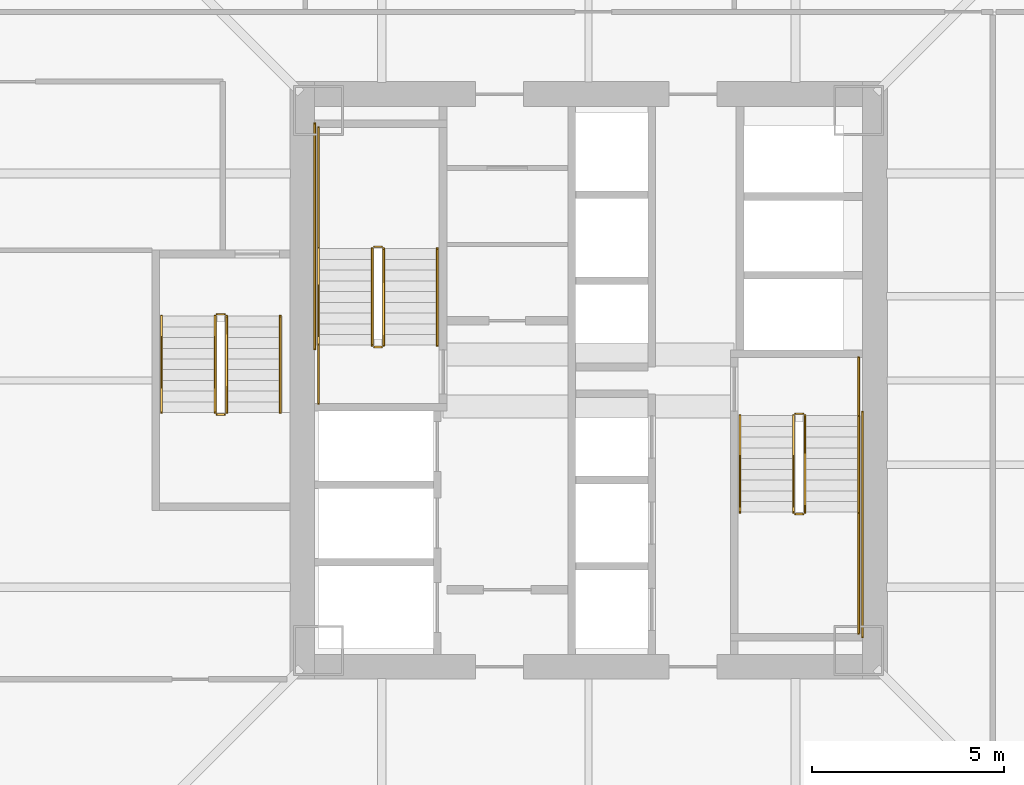
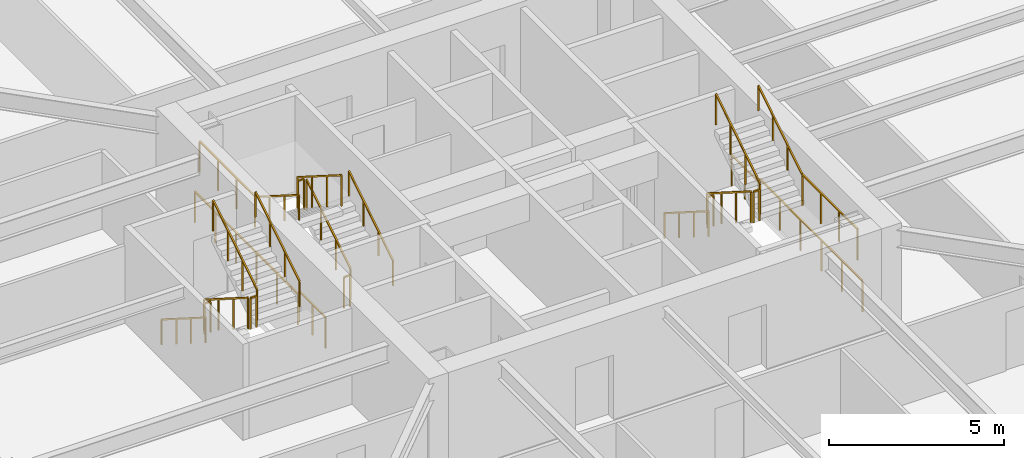
# One storey, part 39 of 44: 24 railings.
"""IFC4 building model written with IfcOpenShell, lengths in metres."""

from ifc_helpers import new_model, si_unit, direction, frame, origin, origin_2d, place, context, subcontext, project, spatial, rectangle, extrude, material, type_object, element, save


model = new_model("IFC4")

# Units and contexts
model_context = context("Model", 3, precision=1e-05, world=origin(), true_north=direction((0.0, 1.0)))
body_context = subcontext(model_context, "Body", "Model", "MODEL_VIEW")
ifc_project = project(units=[si_unit("LENGTHUNIT", "METRE"), si_unit("AREAUNIT", "SQUARE_METRE"), si_unit("VOLUMEUNIT", "CUBIC_METRE"), si_unit("PLANEANGLEUNIT", "RADIAN"), si_unit("MASSUNIT", "GRAM", prefix="KILO")], contexts=[model_context])

# Site, building, storey
site_placement = place(None, origin())
site = spatial("IfcSite", under=ifc_project, at=site_placement, CompositionType="ELEMENT")
building_placement = place(site_placement, origin())
building = spatial("IfcBuilding", under=site, at=building_placement, Name="Tashvorn Skyway Center", CompositionType="ELEMENT")
storey_placement = place(building_placement, frame((0.0, 0.0, 84.949951171875)))
storey = spatial("IfcBuildingStorey", under=building, at=storey_placement, Name="L22", CompositionType="ELEMENT", Elevation=84.949951171875)

# Railings
ifc_material_1 = material(Name="Brushed stainless steel 316", Category="steel")
railing_type_1 = type_object("IfcRailingType", Name="RAIL-HAND-920", PredefinedType="HANDRAIL", material=ifc_material_1)
railing_1_placement = place(storey_placement, frame((38.050048828125, 32.919921875, 0.177490234375)))
element("IfcRailing", 1, at=railing_1_placement, inside=storey, type_object=railing_type_1, Name="L22 ST-T1-1 stair handrail 1", PredefinedType="HANDRAIL", context=body_context, shape_type="SweptSolid", body=[
    extrude(rectangle(XDim=0.048095703125, YDim=0.048095703125, at=origin_2d()), frame((0.0, 0.0, 0.8759765625), z_axis=(0.0, 0.84456994832, 0.535445237532), x_axis=(-1.0, 0.0, 0.0)), (0.0, 0.0, 1.0), 2.98388671875),
    extrude(rectangle(XDim=0.0419921875, YDim=0.0419921875, at=origin_2d()), origin(), (0.0, 0.0, 1.0), 0.851806640625),
    extrude(rectangle(XDim=0.0419921875, YDim=0.0419921875, at=origin_2d()), frame((0.0, 0.840087890625, 0.532470703125)), (0.0, 0.0, 1.0), 0.851806640625),
    extrude(rectangle(XDim=0.0419921875, YDim=0.0419921875, at=origin_2d()), frame((0.0, 1.679931640625, 1.065185546875)), (0.0, 0.0, 1.0), 0.851806640625),
    extrude(rectangle(XDim=0.0419921875, YDim=0.0419921875, at=origin_2d()), frame((0.0, 2.52001953125, 1.59765625)), (0.0, 0.0, 1.0), 0.851806640625),
])
railing_2_placement = place(storey_placement, frame((34.949951171875, 35.43994140625, 1.95263671875)))
element("IfcRailing", 2, at=railing_2_placement, inside=storey, type_object=railing_type_1, Name="L22 ST-T1-1 stair handrail 2", PredefinedType="HANDRAIL", context=body_context, shape_type="SweptSolid", body=[
    extrude(rectangle(XDim=0.048095703125, YDim=0.048095703125, at=origin_2d()), frame((0.0, 0.0, 0.8759765625), z_axis=(0.0, -0.84460694969, 0.535386869969), x_axis=(1.0, 0.0, 0.0)), (0.0, 0.0, 1.0), 2.983642578125),
    extrude(rectangle(XDim=0.0419921875, YDim=0.0419921875, at=origin_2d()), origin(), (0.0, 0.0, 1.0), 0.851806640625),
    extrude(rectangle(XDim=0.0419921875, YDim=0.0419921875, at=origin_2d()), frame((0.0, -0.840087890625, 0.532470703125)), (0.0, 0.0, 1.0), 0.851806640625),
    extrude(rectangle(XDim=0.0419921875, YDim=0.0419921875, at=origin_2d()), frame((0.0, -1.679931640625, 1.06494140625)), (0.0, 0.0, 1.0), 0.851806640625),
    extrude(rectangle(XDim=0.0419921875, YDim=0.0419921875, at=origin_2d()), frame((0.0, -2.52001953125, 1.597412109375)), (0.0, 0.0, 1.0), 0.851806640625),
])
railing_3_placement = place(storey_placement, frame((45.949951171875, 31.080078125, 0.177490234375)))
element("IfcRailing", 3, at=railing_3_placement, inside=storey, type_object=railing_type_1, Name="L22 ST-T1-2 stair handrail 1", PredefinedType="HANDRAIL", context=body_context, shape_type="SweptSolid", body=[
    extrude(rectangle(XDim=0.048095703125, YDim=0.048095703125, at=origin_2d()), frame((0.0, 0.0, 0.8759765625), z_axis=(0.0, -0.84456994832, 0.535445237532), x_axis=(1.0, 0.0, 0.0)), (0.0, 0.0, 1.0), 2.98388671875),
    extrude(rectangle(XDim=0.0419921875, YDim=0.0419921875, at=origin_2d()), origin(), (0.0, 0.0, 1.0), 0.851806640625),
    extrude(rectangle(XDim=0.0419921875, YDim=0.0419921875, at=origin_2d()), frame((0.0, -0.840087890625, 0.532470703125)), (0.0, 0.0, 1.0), 0.851806640625),
    extrude(rectangle(XDim=0.0419921875, YDim=0.0419921875, at=origin_2d()), frame((0.0, -1.679931640625, 1.065185546875)), (0.0, 0.0, 1.0), 0.851806640625),
    extrude(rectangle(XDim=0.0419921875, YDim=0.0419921875, at=origin_2d()), frame((0.0, -2.52001953125, 1.59765625)), (0.0, 0.0, 1.0), 0.851806640625),
])
railing_4_placement = place(storey_placement, frame((49.050048828125, 28.56005859375, 1.95263671875)))
element("IfcRailing", 4, at=railing_4_placement, inside=storey, type_object=railing_type_1, Name="L22 ST-T1-2 stair handrail 2", PredefinedType="HANDRAIL", context=body_context, shape_type="SweptSolid", body=[
    extrude(rectangle(XDim=0.048095703125, YDim=0.048095703125, at=origin_2d()), frame((0.0, 0.0, 0.8759765625), z_axis=(0.0, 0.84460694969, 0.535386869969), x_axis=(-1.0, 0.0, 0.0)), (0.0, 0.0, 1.0), 2.983642578125),
    extrude(rectangle(XDim=0.0419921875, YDim=0.0419921875, at=origin_2d()), origin(), (0.0, 0.0, 1.0), 0.851806640625),
    extrude(rectangle(XDim=0.0419921875, YDim=0.0419921875, at=origin_2d()), frame((0.0, 0.840087890625, 0.532470703125)), (0.0, 0.0, 1.0), 0.851806640625),
    extrude(rectangle(XDim=0.0419921875, YDim=0.0419921875, at=origin_2d()), frame((0.0, 1.679931640625, 1.06494140625)), (0.0, 0.0, 1.0), 0.851806640625),
    extrude(rectangle(XDim=0.0419921875, YDim=0.0419921875, at=origin_2d()), frame((0.0, 2.52001953125, 1.597412109375)), (0.0, 0.0, 1.0), 0.851806640625),
])
railing_5_placement = place(storey_placement, frame((30.85009765625, 33.679931640625, 0.177490234375)))
element("IfcRailing", 5, at=railing_5_placement, inside=storey, type_object=railing_type_1, Name="L22 ST-T1-3 stair handrail 1", PredefinedType="HANDRAIL", context=body_context, shape_type="SweptSolid", body=[
    extrude(rectangle(XDim=0.048095703125, YDim=0.048095703125, at=origin_2d()), frame((0.0, 0.0, 0.8759765625), z_axis=(0.0, -0.84456994832, 0.535445237532), x_axis=(1.0, 0.0, 0.0)), (0.0, 0.0, 1.0), 2.98388671875),
    extrude(rectangle(XDim=0.0419921875, YDim=0.0419921875, at=origin_2d()), origin(), (0.0, 0.0, 1.0), 0.851806640625),
    extrude(rectangle(XDim=0.0419921875, YDim=0.0419921875, at=origin_2d()), frame((0.0, -0.840087890625, 0.532470703125)), (0.0, 0.0, 1.0), 0.851806640625),
    extrude(rectangle(XDim=0.0419921875, YDim=0.0419921875, at=origin_2d()), frame((0.0, -1.679931640625, 1.065185546875)), (0.0, 0.0, 1.0), 0.851806640625),
    extrude(rectangle(XDim=0.0419921875, YDim=0.0419921875, at=origin_2d()), frame((0.0, -2.52001953125, 1.59765625)), (0.0, 0.0, 1.0), 0.851806640625),
])
railing_6_placement = place(storey_placement, frame((33.949951171875, 31.159912109375, 1.95263671875)))
element("IfcRailing", 6, at=railing_6_placement, inside=storey, type_object=railing_type_1, Name="L22 ST-T1-3 stair handrail 2", PredefinedType="HANDRAIL", context=body_context, shape_type="SweptSolid", body=[
    extrude(rectangle(XDim=0.048095703125, YDim=0.048095703125, at=origin_2d()), frame((0.0, 0.0, 0.8759765625), z_axis=(0.0, 0.84460694969, 0.535386869969), x_axis=(-1.0, 0.0, 0.0)), (0.0, 0.0, 1.0), 2.983642578125),
    extrude(rectangle(XDim=0.0419921875, YDim=0.0419921875, at=origin_2d()), origin(), (0.0, 0.0, 1.0), 0.851806640625),
    extrude(rectangle(XDim=0.0419921875, YDim=0.0419921875, at=origin_2d()), frame((0.0, 0.840087890625, 0.532470703125)), (0.0, 0.0, 1.0), 0.851806640625),
    extrude(rectangle(XDim=0.0419921875, YDim=0.0419921875, at=origin_2d()), frame((0.0, 1.679931640625, 1.06494140625)), (0.0, 0.0, 1.0), 0.851806640625),
    extrude(rectangle(XDim=0.0419921875, YDim=0.0419921875, at=origin_2d()), frame((0.0, 2.52001953125, 1.597412109375)), (0.0, 0.0, 1.0), 0.851806640625),
])
ifc_material_2 = material(Name="Painted galvanized steel S355", Category="steel")
railing_type_2 = type_object("IfcRailingType", Name="RAIL-STGUARD-1100", PredefinedType="GUARDRAIL", material=ifc_material_2)
railing_7_placement = place(storey_placement, frame((36.64990234375, 32.919921875, 0.177490234375)))
element("IfcRailing", 7, at=railing_7_placement, inside=storey, type_object=railing_type_2, Name="L22 ST-T1-1 stair guard 1", PredefinedType="GUARDRAIL", context=body_context, shape_type="SweptSolid", body=[
    extrude(rectangle(XDim=0.048095703125, YDim=0.048095703125, at=origin_2d()), frame((0.0, 0.0, 1.076171875), z_axis=(0.0, 0.84456994832, 0.535445237532), x_axis=(-1.0, 0.0, 0.0)), (0.0, 0.0, 1.0), 2.98388671875),
    extrude(rectangle(XDim=0.0419921875, YDim=0.0419921875, at=origin_2d()), origin(), (0.0, 0.0, 1.0), 1.052001953125),
    extrude(rectangle(XDim=0.0419921875, YDim=0.0419921875, at=origin_2d()), frame((0.0, 0.840087890625, 0.532470703125)), (0.0, 0.0, 1.0), 1.052001953125),
    extrude(rectangle(XDim=0.0419921875, YDim=0.0419921875, at=origin_2d()), frame((0.0, 1.679931640625, 1.065185546875)), (0.0, 0.0, 1.0), 1.052001953125),
    extrude(rectangle(XDim=0.0419921875, YDim=0.0419921875, at=origin_2d()), frame((0.0, 2.52001953125, 1.59765625)), (0.0, 0.0, 1.0), 1.052001953125),
])
railing_8_placement = place(storey_placement, frame((36.60009765625, 35.489990234375, 1.775146484375)))
element("IfcRailing", 8, at=railing_8_placement, inside=storey, type_object=railing_type_2, Name="L22 ST-T1-1 stair guard 2", PredefinedType="GUARDRAIL", context=body_context, shape_type="SweptSolid", body=[
    extrude(rectangle(XDim=0.048095703125, YDim=0.048095703125, at=origin_2d()), frame((0.0, 0.0, 1.076171875), z_axis=(-1.0, 0.0, 0.0), x_axis=(0.0, -1.0, 0.0)), (0.0, 0.0, 1.0), 0.2001953125),
    extrude(rectangle(XDim=0.0419921875, YDim=0.0419921875, at=origin_2d()), origin(), (0.0, 0.0, 1.0), 1.052001953125),
    extrude(rectangle(XDim=0.0419921875, YDim=0.0419921875, at=origin_2d()), frame((-0.2001953125, 0.0, 0.0)), (0.0, 0.0, 1.0), 1.052001953125),
])
railing_9_placement = place(storey_placement, frame((34.949951171875, 35.43994140625, 1.775146484375)))
element("IfcRailing", 9, at=railing_9_placement, inside=storey, type_object=railing_type_2, Name="L22 ST-T1-1 stair guard 3", PredefinedType="GUARDRAIL", context=body_context, shape_type="SweptSolid", body=[
    extrude(rectangle(XDim=0.048095703125, YDim=0.048095703125, at=origin_2d()), frame((0.0, 0.0, 1.076171875), z_axis=(0.0, 1.0, 0.0), x_axis=(-1.0, 0.0, 0.0)), (0.0, 0.0, 1.0), 3.16015625),
    extrude(rectangle(XDim=0.0419921875, YDim=0.0419921875, at=origin_2d()), origin(), (0.0, 0.0, 1.0), 1.052001953125),
    extrude(rectangle(XDim=0.0419921875, YDim=0.0419921875, at=origin_2d()), frame((0.0, 1.053466796875, 0.0)), (0.0, 0.0, 1.0), 1.052001953125),
    extrude(rectangle(XDim=0.0419921875, YDim=0.0419921875, at=origin_2d()), frame((0.0, 2.106689453125, 0.0)), (0.0, 0.0, 1.0), 1.052001953125),
    extrude(rectangle(XDim=0.0419921875, YDim=0.0419921875, at=origin_2d()), frame((0.0, 3.16015625, 0.0)), (0.0, 0.0, 1.0), 1.052001953125),
])
railing_10_placement = place(storey_placement, frame((36.35009765625, 35.43994140625, 1.95263671875)))
element("IfcRailing", 10, at=railing_10_placement, inside=storey, type_object=railing_type_2, Name="L22 ST-T1-1 stair guard 4", PredefinedType="GUARDRAIL", context=body_context, shape_type="SweptSolid", body=[
    extrude(rectangle(XDim=0.048095703125, YDim=0.048095703125, at=origin_2d()), frame((0.0, 0.0, 1.076171875), z_axis=(0.0, -0.84460694969, 0.535386869969), x_axis=(1.0, 0.0, 0.0)), (0.0, 0.0, 1.0), 2.983642578125),
    extrude(rectangle(XDim=0.0419921875, YDim=0.0419921875, at=origin_2d()), origin(), (0.0, 0.0, 1.0), 1.052001953125),
    extrude(rectangle(XDim=0.0419921875, YDim=0.0419921875, at=origin_2d()), frame((0.0, -0.840087890625, 0.532470703125)), (0.0, 0.0, 1.0), 1.052001953125),
    extrude(rectangle(XDim=0.0419921875, YDim=0.0419921875, at=origin_2d()), frame((0.0, -1.679931640625, 1.06494140625)), (0.0, 0.0, 1.0), 1.052001953125),
    extrude(rectangle(XDim=0.0419921875, YDim=0.0419921875, at=origin_2d()), frame((0.0, -2.52001953125, 1.597412109375)), (0.0, 0.0, 1.0), 1.052001953125),
])
railing_11_placement = place(storey_placement, frame((36.60009765625, 32.8701171875, 0.0)))
element("IfcRailing", 11, at=railing_11_placement, inside=storey, type_object=railing_type_2, Name="L22 ST-T1-1 stair guard 5", PredefinedType="GUARDRAIL", context=body_context, shape_type="SweptSolid", body=[
    extrude(rectangle(XDim=0.048095703125, YDim=0.048095703125, at=origin_2d()), frame((0.0, 0.0, 1.076171875), z_axis=(-1.0, 0.0, 0.0), x_axis=(0.0, -1.0, 0.0)), (0.0, 0.0, 1.0), 0.2001953125),
    extrude(rectangle(XDim=0.0419921875, YDim=0.0419921875, at=origin_2d()), origin(), (0.0, 0.0, 1.0), 1.052001953125),
    extrude(rectangle(XDim=0.0419921875, YDim=0.0419921875, at=origin_2d()), frame((-0.2001953125, 0.0, 0.0)), (0.0, 0.0, 1.0), 1.052001953125),
])
railing_12_placement = place(storey_placement, frame((34.949951171875, 31.39990234375, 0.0)))
element("IfcRailing", 12, at=railing_12_placement, inside=storey, type_object=railing_type_2, Name="L22 ST-T1-1 stair guard 6", PredefinedType="GUARDRAIL", context=body_context, shape_type="SweptSolid", body=[
    extrude(rectangle(XDim=0.048095703125, YDim=0.048095703125, at=origin_2d()), frame((0.0, 0.0, 1.076171875), z_axis=(0.0, 1.0, 0.0), x_axis=(-1.0, 0.0, 0.0)), (0.0, 0.0, 1.0), 1.52001953125),
    extrude(rectangle(XDim=0.0419921875, YDim=0.0419921875, at=origin_2d()), origin(), (0.0, 0.0, 1.0), 1.052001953125),
    extrude(rectangle(XDim=0.0419921875, YDim=0.0419921875, at=origin_2d()), frame((0.0, 0.760009765625, 0.0)), (0.0, 0.0, 1.0), 1.052001953125),
    extrude(rectangle(XDim=0.0419921875, YDim=0.0419921875, at=origin_2d()), frame((0.0, 1.52001953125, 0.0)), (0.0, 0.0, 1.0), 1.052001953125),
])
railing_13_placement = place(storey_placement, frame((34.85009765625, 32.820068359375, 0.0)))
element("IfcRailing", 13, at=railing_13_placement, inside=storey, type_object=railing_type_2, Name="L22 ST-T1-1 stair guard 7", PredefinedType="GUARDRAIL", context=body_context, shape_type="SweptSolid", body=[
    extrude(rectangle(XDim=0.048095703125, YDim=0.048095703125, at=origin_2d()), frame((0.0, 0.0, 1.076171875), z_axis=(0.0, 1.0, 0.0), x_axis=(-1.0, 0.0, 0.0)), (0.0, 0.0, 1.0), 5.8798828125),
    extrude(rectangle(XDim=0.0419921875, YDim=0.0419921875, at=origin_2d()), origin(), (0.0, 0.0, 1.0), 1.052001953125),
    extrude(rectangle(XDim=0.0419921875, YDim=0.0419921875, at=origin_2d()), frame((0.0, 1.176025390625, 0.0)), (0.0, 0.0, 1.0), 1.052001953125),
    extrude(rectangle(XDim=0.0419921875, YDim=0.0419921875, at=origin_2d()), frame((0.0, 2.35205078125, 0.0)), (0.0, 0.0, 1.0), 1.052001953125),
    extrude(rectangle(XDim=0.0419921875, YDim=0.0419921875, at=origin_2d()), frame((0.0, 3.52783203125, 0.0)), (0.0, 0.0, 1.0), 1.052001953125),
    extrude(rectangle(XDim=0.0419921875, YDim=0.0419921875, at=origin_2d()), frame((0.0, 4.703857421875, 0.0)), (0.0, 0.0, 1.0), 1.052001953125),
    extrude(rectangle(XDim=0.0419921875, YDim=0.0419921875, at=origin_2d()), frame((0.0, 5.8798828125, 0.0)), (0.0, 0.0, 1.0), 1.052001953125),
])
railing_14_placement = place(storey_placement, frame((47.35009765625, 31.080078125, 0.177490234375)))
element("IfcRailing", 14, at=railing_14_placement, inside=storey, type_object=railing_type_2, Name="L22 ST-T1-2 stair guard 1", PredefinedType="GUARDRAIL", context=body_context, shape_type="SweptSolid", body=[
    extrude(rectangle(XDim=0.048095703125, YDim=0.048095703125, at=origin_2d()), frame((0.0, 0.0, 1.076171875), z_axis=(0.0, -0.84456994832, 0.535445237532), x_axis=(1.0, 0.0, 0.0)), (0.0, 0.0, 1.0), 2.98388671875),
    extrude(rectangle(XDim=0.0419921875, YDim=0.0419921875, at=origin_2d()), origin(), (0.0, 0.0, 1.0), 1.052001953125),
    extrude(rectangle(XDim=0.0419921875, YDim=0.0419921875, at=origin_2d()), frame((0.0, -0.840087890625, 0.532470703125)), (0.0, 0.0, 1.0), 1.052001953125),
    extrude(rectangle(XDim=0.0419921875, YDim=0.0419921875, at=origin_2d()), frame((0.0, -1.679931640625, 1.065185546875)), (0.0, 0.0, 1.0), 1.052001953125),
    extrude(rectangle(XDim=0.0419921875, YDim=0.0419921875, at=origin_2d()), frame((0.0, -2.52001953125, 1.59765625)), (0.0, 0.0, 1.0), 1.052001953125),
])
railing_15_placement = place(storey_placement, frame((47.39990234375, 28.510009765625, 1.775146484375)))
element("IfcRailing", 15, at=railing_15_placement, inside=storey, type_object=railing_type_2, Name="L22 ST-T1-2 stair guard 2", PredefinedType="GUARDRAIL", context=body_context, shape_type="SweptSolid", body=[
    extrude(rectangle(XDim=0.048095703125, YDim=0.048095703125, at=origin_2d()), frame((0.0, 0.0, 1.076171875), z_axis=(1.0, 0.0, 0.0), x_axis=(0.0, 1.0, 0.0)), (0.0, 0.0, 1.0), 0.2001953125),
    extrude(rectangle(XDim=0.0419921875, YDim=0.0419921875, at=origin_2d()), origin(), (0.0, 0.0, 1.0), 1.052001953125),
    extrude(rectangle(XDim=0.0419921875, YDim=0.0419921875, at=origin_2d()), frame((0.2001953125, 0.0, 0.0)), (0.0, 0.0, 1.0), 1.052001953125),
])
railing_16_placement = place(storey_placement, frame((49.050048828125, 28.56005859375, 1.775146484375)))
element("IfcRailing", 16, at=railing_16_placement, inside=storey, type_object=railing_type_2, Name="L22 ST-T1-2 stair guard 3", PredefinedType="GUARDRAIL", context=body_context, shape_type="SweptSolid", body=[
    extrude(rectangle(XDim=0.048095703125, YDim=0.048095703125, at=origin_2d()), frame((0.0, 0.0, 1.076171875), z_axis=(0.0, -1.0, 0.0), x_axis=(1.0, 0.0, 0.0)), (0.0, 0.0, 1.0), 3.16015625),
    extrude(rectangle(XDim=0.0419921875, YDim=0.0419921875, at=origin_2d()), origin(), (0.0, 0.0, 1.0), 1.052001953125),
    extrude(rectangle(XDim=0.0419921875, YDim=0.0419921875, at=origin_2d()), frame((0.0, -1.053466796875, 0.0)), (0.0, 0.0, 1.0), 1.052001953125),
    extrude(rectangle(XDim=0.0419921875, YDim=0.0419921875, at=origin_2d()), frame((0.0, -2.106689453125, 0.0)), (0.0, 0.0, 1.0), 1.052001953125),
    extrude(rectangle(XDim=0.0419921875, YDim=0.0419921875, at=origin_2d()), frame((0.0, -3.16015625, 0.0)), (0.0, 0.0, 1.0), 1.052001953125),
])
railing_17_placement = place(storey_placement, frame((47.64990234375, 28.56005859375, 1.95263671875)))
element("IfcRailing", 17, at=railing_17_placement, inside=storey, type_object=railing_type_2, Name="L22 ST-T1-2 stair guard 4", PredefinedType="GUARDRAIL", context=body_context, shape_type="SweptSolid", body=[
    extrude(rectangle(XDim=0.048095703125, YDim=0.048095703125, at=origin_2d()), frame((0.0, 0.0, 1.076171875), z_axis=(0.0, 0.84460694969, 0.535386869969), x_axis=(-1.0, 0.0, 0.0)), (0.0, 0.0, 1.0), 2.983642578125),
    extrude(rectangle(XDim=0.0419921875, YDim=0.0419921875, at=origin_2d()), origin(), (0.0, 0.0, 1.0), 1.052001953125),
    extrude(rectangle(XDim=0.0419921875, YDim=0.0419921875, at=origin_2d()), frame((0.0, 0.840087890625, 0.532470703125)), (0.0, 0.0, 1.0), 1.052001953125),
    extrude(rectangle(XDim=0.0419921875, YDim=0.0419921875, at=origin_2d()), frame((0.0, 1.679931640625, 1.06494140625)), (0.0, 0.0, 1.0), 1.052001953125),
    extrude(rectangle(XDim=0.0419921875, YDim=0.0419921875, at=origin_2d()), frame((0.0, 2.52001953125, 1.597412109375)), (0.0, 0.0, 1.0), 1.052001953125),
])
railing_18_placement = place(storey_placement, frame((47.39990234375, 31.1298828125, 0.0)))
element("IfcRailing", 18, at=railing_18_placement, inside=storey, type_object=railing_type_2, Name="L22 ST-T1-2 stair guard 5", PredefinedType="GUARDRAIL", context=body_context, shape_type="SweptSolid", body=[
    extrude(rectangle(XDim=0.048095703125, YDim=0.048095703125, at=origin_2d()), frame((0.0, 0.0, 1.076171875), z_axis=(1.0, 0.0, 0.0), x_axis=(0.0, 1.0, 0.0)), (0.0, 0.0, 1.0), 0.2001953125),
    extrude(rectangle(XDim=0.0419921875, YDim=0.0419921875, at=origin_2d()), origin(), (0.0, 0.0, 1.0), 1.052001953125),
    extrude(rectangle(XDim=0.0419921875, YDim=0.0419921875, at=origin_2d()), frame((0.2001953125, 0.0, 0.0)), (0.0, 0.0, 1.0), 1.052001953125),
])
railing_19_placement = place(storey_placement, frame((49.050048828125, 32.60009765625, 0.0)))
element("IfcRailing", 19, at=railing_19_placement, inside=storey, type_object=railing_type_2, Name="L22 ST-T1-2 stair guard 6", PredefinedType="GUARDRAIL", context=body_context, shape_type="SweptSolid", body=[
    extrude(rectangle(XDim=0.048095703125, YDim=0.048095703125, at=origin_2d()), frame((0.0, 0.0, 1.076171875), z_axis=(0.0, -1.0, 0.0), x_axis=(1.0, 0.0, 0.0)), (0.0, 0.0, 1.0), 1.52001953125),
    extrude(rectangle(XDim=0.0419921875, YDim=0.0419921875, at=origin_2d()), origin(), (0.0, 0.0, 1.0), 1.052001953125),
    extrude(rectangle(XDim=0.0419921875, YDim=0.0419921875, at=origin_2d()), frame((0.0, -0.760009765625, 0.0)), (0.0, 0.0, 1.0), 1.052001953125),
    extrude(rectangle(XDim=0.0419921875, YDim=0.0419921875, at=origin_2d()), frame((0.0, -1.52001953125, 0.0)), (0.0, 0.0, 1.0), 1.052001953125),
])
railing_20_placement = place(storey_placement, frame((49.14990234375, 31.179931640625, 0.0)))
element("IfcRailing", 20, at=railing_20_placement, inside=storey, type_object=railing_type_2, Name="L22 ST-T1-2 stair guard 7", PredefinedType="GUARDRAIL", context=body_context, shape_type="SweptSolid", body=[
    extrude(rectangle(XDim=0.048095703125, YDim=0.048095703125, at=origin_2d()), frame((0.0, 0.0, 1.076171875), z_axis=(0.0, -1.0, 0.0), x_axis=(1.0, 0.0, 0.0)), (0.0, 0.0, 1.0), 5.8798828125),
    extrude(rectangle(XDim=0.0419921875, YDim=0.0419921875, at=origin_2d()), origin(), (0.0, 0.0, 1.0), 1.052001953125),
    extrude(rectangle(XDim=0.0419921875, YDim=0.0419921875, at=origin_2d()), frame((0.0, -1.176025390625, 0.0)), (0.0, 0.0, 1.0), 1.052001953125),
    extrude(rectangle(XDim=0.0419921875, YDim=0.0419921875, at=origin_2d()), frame((0.0, -2.35205078125, 0.0)), (0.0, 0.0, 1.0), 1.052001953125),
    extrude(rectangle(XDim=0.0419921875, YDim=0.0419921875, at=origin_2d()), frame((0.0, -3.52783203125, 0.0)), (0.0, 0.0, 1.0), 1.052001953125),
    extrude(rectangle(XDim=0.0419921875, YDim=0.0419921875, at=origin_2d()), frame((0.0, -4.703857421875, 0.0)), (0.0, 0.0, 1.0), 1.052001953125),
    extrude(rectangle(XDim=0.0419921875, YDim=0.0419921875, at=origin_2d()), frame((0.0, -5.8798828125, 0.0)), (0.0, 0.0, 1.0), 1.052001953125),
])
railing_21_placement = place(storey_placement, frame((32.25, 33.679931640625, 0.177490234375)))
element("IfcRailing", 21, at=railing_21_placement, inside=storey, type_object=railing_type_2, Name="L22 ST-T1-3 stair guard 1", PredefinedType="GUARDRAIL", context=body_context, shape_type="SweptSolid", body=[
    extrude(rectangle(XDim=0.048095703125, YDim=0.048095703125, at=origin_2d()), frame((0.0, 0.0, 1.076171875), z_axis=(0.0, -0.84456994832, 0.535445237532), x_axis=(1.0, 0.0, 0.0)), (0.0, 0.0, 1.0), 2.98388671875),
    extrude(rectangle(XDim=0.0419921875, YDim=0.0419921875, at=origin_2d()), origin(), (0.0, 0.0, 1.0), 1.052001953125),
    extrude(rectangle(XDim=0.0419921875, YDim=0.0419921875, at=origin_2d()), frame((0.0, -0.840087890625, 0.532470703125)), (0.0, 0.0, 1.0), 1.052001953125),
    extrude(rectangle(XDim=0.0419921875, YDim=0.0419921875, at=origin_2d()), frame((0.0, -1.679931640625, 1.065185546875)), (0.0, 0.0, 1.0), 1.052001953125),
    extrude(rectangle(XDim=0.0419921875, YDim=0.0419921875, at=origin_2d()), frame((0.0, -2.52001953125, 1.59765625)), (0.0, 0.0, 1.0), 1.052001953125),
])
railing_22_placement = place(storey_placement, frame((32.300048828125, 31.110107421875, 1.775146484375)))
element("IfcRailing", 22, at=railing_22_placement, inside=storey, type_object=railing_type_2, Name="L22 ST-T1-3 stair guard 2", PredefinedType="GUARDRAIL", context=body_context, shape_type="SweptSolid", body=[
    extrude(rectangle(XDim=0.048095703125, YDim=0.048095703125, at=origin_2d()), frame((0.0, 0.0, 1.076171875), z_axis=(1.0, 0.0, 0.0), x_axis=(0.0, 1.0, 0.0)), (0.0, 0.0, 1.0), 0.199951171875),
    extrude(rectangle(XDim=0.0419921875, YDim=0.0419921875, at=origin_2d()), origin(), (0.0, 0.0, 1.0), 1.052001953125),
    extrude(rectangle(XDim=0.0419921875, YDim=0.0419921875, at=origin_2d()), frame((0.199951171875, 0.0, 0.0)), (0.0, 0.0, 1.0), 1.052001953125),
])
railing_23_placement = place(storey_placement, frame((32.550048828125, 31.159912109375, 1.95263671875)))
element("IfcRailing", 23, at=railing_23_placement, inside=storey, type_object=railing_type_2, Name="L22 ST-T1-3 stair guard 3", PredefinedType="GUARDRAIL", context=body_context, shape_type="SweptSolid", body=[
    extrude(rectangle(XDim=0.048095703125, YDim=0.048095703125, at=origin_2d()), frame((0.0, 0.0, 1.076171875), z_axis=(0.0, 0.84460694969, 0.535386869969), x_axis=(-1.0, 0.0, 0.0)), (0.0, 0.0, 1.0), 2.983642578125),
    extrude(rectangle(XDim=0.0419921875, YDim=0.0419921875, at=origin_2d()), origin(), (0.0, 0.0, 1.0), 1.052001953125),
    extrude(rectangle(XDim=0.0419921875, YDim=0.0419921875, at=origin_2d()), frame((0.0, 0.840087890625, 0.532470703125)), (0.0, 0.0, 1.0), 1.052001953125),
    extrude(rectangle(XDim=0.0419921875, YDim=0.0419921875, at=origin_2d()), frame((0.0, 1.679931640625, 1.06494140625)), (0.0, 0.0, 1.0), 1.052001953125),
    extrude(rectangle(XDim=0.0419921875, YDim=0.0419921875, at=origin_2d()), frame((0.0, 2.52001953125, 1.597412109375)), (0.0, 0.0, 1.0), 1.052001953125),
])
railing_24_placement = place(storey_placement, frame((32.300048828125, 33.72998046875, 0.0)))
element("IfcRailing", 24, at=railing_24_placement, inside=storey, type_object=railing_type_2, Name="L22 ST-T1-3 stair guard 4", PredefinedType="GUARDRAIL", context=body_context, shape_type="SweptSolid", body=[
    extrude(rectangle(XDim=0.048095703125, YDim=0.048095703125, at=origin_2d()), frame((0.0, 0.0, 1.076171875), z_axis=(1.0, 0.0, 0.0), x_axis=(0.0, 1.0, 0.0)), (0.0, 0.0, 1.0), 0.199951171875),
    extrude(rectangle(XDim=0.0419921875, YDim=0.0419921875, at=origin_2d()), origin(), (0.0, 0.0, 1.0), 1.052001953125),
    extrude(rectangle(XDim=0.0419921875, YDim=0.0419921875, at=origin_2d()), frame((0.199951171875, 0.0, 0.0)), (0.0, 0.0, 1.0), 1.052001953125),
])

save(model, "model.ifc")
